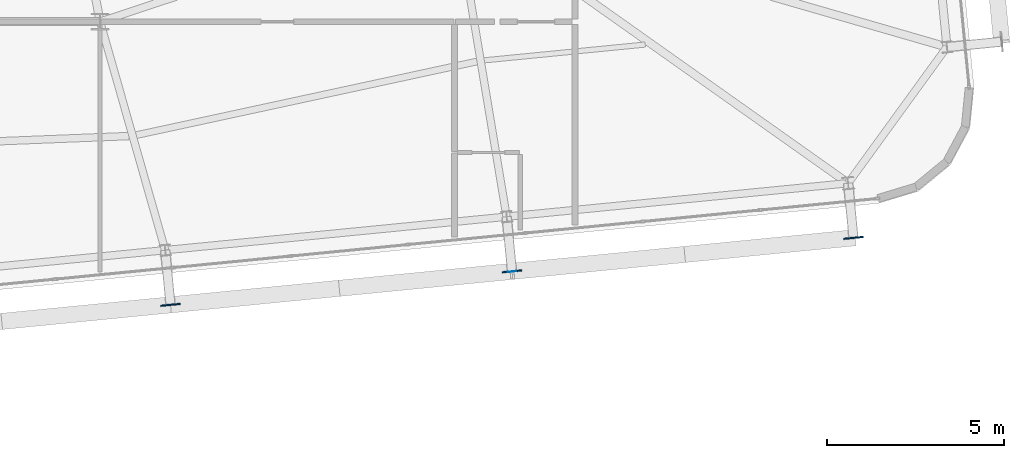
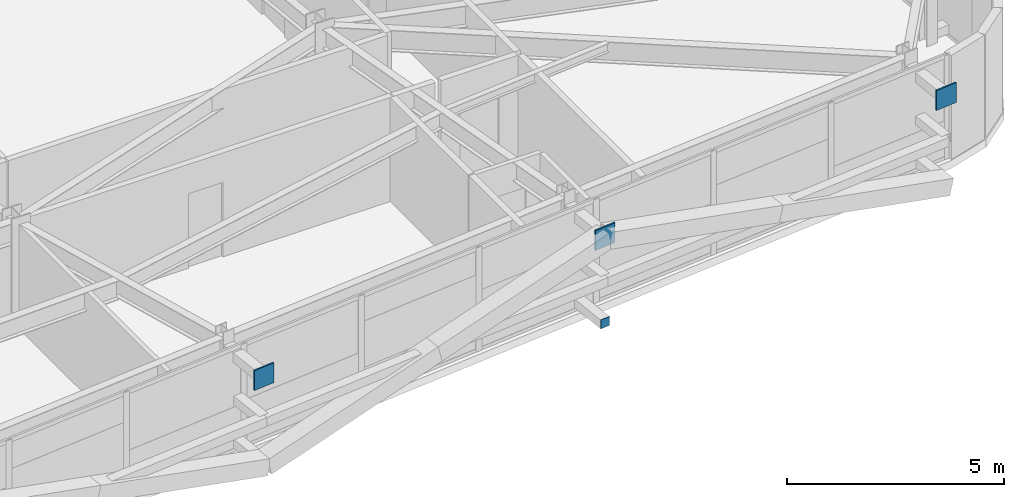
# One storey, part 41 of 53: 4 plates.
"""IFC4 building model written with IfcOpenShell, lengths in metres."""

import ifcopenshell
import ifcopenshell.guid

model = None  # the IFC model being written
_history = None  # IfcOwnerHistory: only IFC2X3 demands one
_inside = {}  # id of a spatial element -> (the spatial element, [elements in it])
_under = {}  # id of a project, library or spatial element -> (it, [spatial elements below it])
_declared = {}  # id of a project -> (the project, [libraries it declares])
_typed = {}  # id of a type object -> (the type object, [elements of that type])
_made_of = {}  # id of a material, layer set ... -> (it, [elements and type objects made of it])


def new_model(schema):
    """Start an empty IFC model of exactly this schema.

    Asked for "IFC4X3", IfcOpenShell would pick the latest addendum, in which some entities
    have other attributes; the version numbers below select the first issue.
    IFC2X3 requires an IfcOwnerHistory on every rooted entity: one is made here for all.
    """
    global model, _history
    if schema == "IFC4X3":
        model = ifcopenshell.file(schema_version=(4, 3, 0, 0))
    else:
        model = ifcopenshell.file(schema=schema)
    _inside.clear()
    _under.clear()
    _declared.clear()
    _typed.clear()
    _made_of.clear()
    _history = None
    if model.schema == "IFC2X3":
        org = make("IfcOrganization", Name="unknown")
        user = make(
            "IfcPersonAndOrganization",
            ThePerson=make("IfcPerson", FamilyName="unknown"),
            TheOrganization=org,
        )
        app = make(
            "IfcApplication",
            ApplicationDeveloper=org,
            Version="unknown",
            ApplicationFullName="unknown",
            ApplicationIdentifier="unknown",
        )
        _history = make(
            "IfcOwnerHistory",
            OwningUser=user,
            OwningApplication=app,
            ChangeAction="ADDED",
            CreationDate=0,
        )
    return model


def make(cls, **values):
    """One entity of the class cls with the attributes given. An attribute that is None is left unset."""
    return model.create_entity(
        cls, **{name: value for name, value in values.items() if value is not None}
    )


def rooted(cls, **values):
    """An entity with a GlobalId (a new one), such as an element, a storey or a relation."""
    return make(cls, GlobalId=ifcopenshell.guid.new(), OwnerHistory=_history, **values)


def si_unit(unit_type, name, prefix=None):
    """IfcSIUnit, for example si_unit("LENGTHUNIT", "METRE", prefix="MILLI")."""
    return make("IfcSIUnit", UnitType=unit_type, Prefix=prefix, Name=name)


def assignment(units):
    """IfcUnitAssignment: the units of a project."""
    return None if units is None else make("IfcUnitAssignment", Units=units)


def point(xyz):
    """IfcCartesianPoint."""
    return None if xyz is None else make("IfcCartesianPoint", Coordinates=xyz)


def direction(xyz):
    """IfcDirection."""
    return None if xyz is None else make("IfcDirection", DirectionRatios=xyz)


def frame(location, z_axis=None, x_axis=None):
    """IfcAxis2Placement3D, a coordinate frame: its origin and axes. An axis left out is left unset."""
    return make(
        "IfcAxis2Placement3D",
        Location=point(location),
        Axis=direction(z_axis),
        RefDirection=direction(x_axis),
    )


def frame_2d(location, x_axis=None):
    """IfcAxis2Placement2D, a coordinate frame in the plane: its origin and x axis."""
    return make(
        "IfcAxis2Placement2D", Location=point(location), RefDirection=direction(x_axis)
    )


def origin():
    """The frame at (0, 0, 0) with its axes left unset."""
    return frame((0.0, 0.0, 0.0))


def origin_2d():
    """The frame at (0, 0) in the plane with its x axis left unset."""
    return frame_2d((0.0, 0.0))


def place(relative_to, where):
    """IfcLocalPlacement: puts the frame where relative to a parent placement (None: the world)."""
    return make(
        "IfcLocalPlacement", PlacementRelTo=relative_to, RelativePlacement=where
    )


def context(
    kind, dimensions, precision=None, world=None, true_north=None, identifier=None
):
    """IfcGeometricRepresentationContext, for example the 3D "Model" context."""
    return make(
        "IfcGeometricRepresentationContext",
        ContextIdentifier=identifier,
        ContextType=kind,
        CoordinateSpaceDimension=dimensions,
        Precision=precision,
        WorldCoordinateSystem=world,
        TrueNorth=true_north,
    )


def subcontext(parent, identifier, kind, view, scale=None):
    """IfcGeometricRepresentationSubContext, for example "Body" below "Model"."""
    return make(
        "IfcGeometricRepresentationSubContext",
        ContextIdentifier=identifier,
        ContextType=kind,
        ParentContext=parent,
        TargetScale=scale,
        TargetView=view,
    )


def project(units=None, contexts=None):
    """IfcProject with its units and contexts."""
    return rooted(
        "IfcProject",
        Name="project",
        RepresentationContexts=contexts,
        UnitsInContext=assignment(units),
    )


def spatial(cls, under=None, at=None, **own):
    """A site, building, storey or space (cls), placed at a placement, below another one or the project."""
    s = rooted(cls, ObjectPlacement=at, **own)
    if under is not None:
        _under.setdefault(under.id(), (under, []))[1].append(s)
    return s


def profile(cls, at=None, kind="AREA", **sizes):
    """A parametric profile (cls). Its sizes go by their IFC names, for example OverallWidth=200.0."""
    return make(cls, ProfileType=kind, Position=at, **sizes)


def rectangle(**sizes):
    """IfcRectangleProfileDef."""
    return profile("IfcRectangleProfileDef", **sizes)


def extrude(swept, where, along, depth):
    """IfcExtrudedAreaSolid: the profile swept, set in the frame where, extruded along a direction by depth."""
    return make(
        "IfcExtrudedAreaSolid",
        SweptArea=swept,
        Position=where,
        ExtrudedDirection=direction(along),
        Depth=depth,
    )


def shape(context_of_items, identifier, shape_type, items):
    """IfcShapeRepresentation: the items that make up one representation, for example the "Body"."""
    return make(
        "IfcShapeRepresentation",
        ContextOfItems=context_of_items,
        RepresentationIdentifier=identifier,
        RepresentationType=shape_type,
        Items=items,
    )


def source(mapping_origin, context_of_items, identifier, shape_type, items):
    """IfcRepresentationMap: a shape defined once, which mapped items show again and again."""
    return make(
        "IfcRepresentationMap",
        MappingOrigin=mapping_origin,
        MappedRepresentation=shape(context_of_items, identifier, shape_type, items),
    )


def transform(
    local_origin,
    x_axis=None,
    y_axis=None,
    z_axis=None,
    scale=None,
    scale2=None,
    scale3=None,
    uniform=True,
):
    """IfcCartesianTransformationOperator3D, or its non-uniform kind. x_axis, y_axis, z_axis: its Axis1, 2, 3."""
    if uniform:
        return make(
            "IfcCartesianTransformationOperator3D",
            Axis1=direction(x_axis),
            Axis2=direction(y_axis),
            LocalOrigin=point(local_origin),
            Scale=scale,
            Axis3=direction(z_axis),
        )
    return make(
        "IfcCartesianTransformationOperator3DnonUniform",
        Axis1=direction(x_axis),
        Axis2=direction(y_axis),
        LocalOrigin=point(local_origin),
        Scale=scale,
        Axis3=direction(z_axis),
        Scale2=scale2,
        Scale3=scale3,
    )


def mapped(mapping_source, mapping_target):
    """IfcMappedItem: shows the shape of a source again, moved by a transform."""
    return make(
        "IfcMappedItem", MappingSource=mapping_source, MappingTarget=mapping_target
    )


def material(Name=None, Category=None):
    """IfcMaterial."""
    return make("IfcMaterial", Name=Name, Category=Category)


def layer(
    of_material, thickness, ventilated=None, Name=None, Category=None, Priority=None
):
    """IfcMaterialLayer: one layer of a wall or slab, of a material (None: an air gap)."""
    return make(
        "IfcMaterialLayer",
        Material=of_material,
        LayerThickness=thickness,
        IsVentilated=ventilated,
        Name=Name,
        Category=Category,
        Priority=Priority,
    )


def layer_set(layers, Name=None):
    """IfcMaterialLayerSet."""
    return make("IfcMaterialLayerSet", MaterialLayers=layers, LayerSetName=Name)


def made_of(thing, what):
    """Note that an element or type object is made of a material, layer set ...; save() writes the relation."""
    if what is not None:
        _made_of.setdefault(what.id(), (what, []))[1].append(thing)
    return thing


def type_object(cls, material=None, **own):
    """A type object (cls), such as IfcWallType, which elements share."""
    return made_of(rooted(cls, **own), material)


def element(
    cls,
    number,
    at=None,
    inside=None,
    cuts=None,
    type_object=None,
    material=None,
    context=None,
    identifier="Body",
    shape_type=None,
    held_by="IfcProductDefinitionShape",
    body=None,
    shapes=None,
    **own,
):
    """One element of the class cls, such as IfcWall. Its Tag is "e" and its number.

    at: its placement. inside: the storey or other place that contains it. cuts: it is an
    opening in that element (IfcRelVoidsElement). A single representation is given by context,
    identifier, shape_type and body (its items); several are given by shapes. held_by: the class
    of the entity that holds the representations. save() writes the other relations.
    """
    e = rooted(cls, Tag="e%d" % number, ObjectPlacement=at, **own)
    if body is not None:
        shapes = [shape(context, identifier, shape_type, body)]
    if shapes is not None:
        e.Representation = make(held_by, Representations=shapes)
    if inside is not None:
        _inside.setdefault(inside.id(), (inside, []))[1].append(e)
    if cuts is not None:
        rooted(
            "IfcRelVoidsElement", RelatingBuildingElement=cuts, RelatedOpeningElement=e
        )
    if type_object is not None:
        _typed.setdefault(type_object.id(), (type_object, []))[1].append(e)
    return made_of(e, material)


def aggregate(whole, parts):
    """IfcRelAggregates: a whole, such as a stair, and the parts it consists of."""
    return rooted("IfcRelAggregates", RelatingObject=whole, RelatedObjects=parts)


def save(model, path):
    """Write the relations noted so far, then the file.

    IfcRelAggregates (storeys below a building ...), IfcRelContainedInSpatialStructure (elements
    in a storey), IfcRelDefinesByType, IfcRelAssociatesMaterial and IfcRelDeclares: one each for
    every whole, place, type object, material and project.
    """
    for whole, parts in _under.values():
        aggregate(whole, parts)
    for where, things in _inside.values():
        rooted(
            "IfcRelContainedInSpatialStructure",
            RelatedElements=things,
            RelatingStructure=where,
        )
    for kind, things in _typed.values():
        rooted("IfcRelDefinesByType", RelatedObjects=things, RelatingType=kind)
    for what, things in _made_of.values():
        rooted("IfcRelAssociatesMaterial", RelatedObjects=things, RelatingMaterial=what)
    for by, libraries in _declared.values():
        rooted("IfcRelDeclares", RelatingContext=by, RelatedDefinitions=libraries)
    model.write(path)


model = new_model("IFC4")

# Units and contexts
model_context = context("Model", 3, precision=1e-05, world=origin(), true_north=direction((0.0, 1.0)))
body_context = subcontext(model_context, "Body", "Model", "MODEL_VIEW")
ifc_project = project(units=[si_unit("LENGTHUNIT", "METRE"), si_unit("AREAUNIT", "SQUARE_METRE"), si_unit("VOLUMEUNIT", "CUBIC_METRE"), si_unit("PLANEANGLEUNIT", "RADIAN"), si_unit("MASSUNIT", "GRAM", prefix="KILO")], contexts=[model_context])

# Site, building, storey
site_placement = place(None, origin())
site = spatial("IfcSite", under=ifc_project, at=site_placement, CompositionType="ELEMENT")
building_placement = place(site_placement, origin())
building = spatial("IfcBuilding", under=site, at=building_placement, Name="Taldren Reach Tower", CompositionType="ELEMENT")
storey_placement = place(building_placement, frame((0.0, 0.0, 84.0)))
storey = spatial("IfcBuildingStorey", under=building, at=storey_placement, Name="L25", CompositionType="ELEMENT", Elevation=84.0)

# Plates
ifc_material_1 = material(Name="Steel Gr 450 (C450L0)", Category="steel")
ifc_layer_1 = layer(ifc_material_1, 0.0400390625)
ifc_layer_set_1 = layer_set([ifc_layer_1], Name="Steel Gr 450 (C450L0)")
plate_type_1 = type_object("IfcPlateType", Name="PL-GUSSET-40", PredefinedType="SHEET", material=ifc_layer_set_1)
shared_shape_1 = source(origin(), body_context, "Body", "SweptSolid", [
    extrude(rectangle(XDim=0.56005859375, YDim=0.0400390625, at=origin_2d()), origin(), (0.0, 0.0, 1.0), 0.56005859375),
])
for number, where, z_axis, x_axis, name in (
    (1, (43.98681640625, 1.21142578125, 2.369873046875), (0.0, 0.0, 1.0), (0.995227399982, 0.097582899759, 0.0), "Exoskeleton star-node gusset plate B2-S4 L25"),
    (2, (53.62060546875, 2.156005859375, 2.369873046875), (0.0, 0.0, 1.0), (0.995227399982, 0.097582899759, 0.0), "Exoskeleton star-node gusset plate B2-S5 L25"),
    (3, (63.25439453125, 3.1005859375, 2.369873046875), (0.0, 0.0, 1.0), (0.995227399982, 0.097582899759, 0.0), "Exoskeleton star-node gusset plate B2-S6 L25"),
):
    element("IfcPlate", number, at=place(storey_placement, frame(where, z_axis=z_axis, x_axis=x_axis)), inside=storey, type_object=plate_type_1, Name=name, PredefinedType="SHEET", context=body_context, shape_type="MappedRepresentation", body=[
        mapped(shared_shape_1, transform((0.0, 0.0, 0.0), scale=1.0)),
    ])
ifc_material_2 = material(Name="Steel Gr 350 (C350L0)", Category="steel")
ifc_layer_2 = layer(ifc_material_2, 0.011962890625)
ifc_layer_set_2 = layer_set([ifc_layer_2], Name="Steel Gr 350 (C350L0)")
plate_type_2 = type_object("IfcPlateType", Name="PL-CAP-250", PredefinedType="SHEET", material=ifc_layer_set_2)
shared_shape_2 = source(origin(), body_context, "Body", "SweptSolid", [
    extrude(rectangle(XDim=0.25, YDim=0.011962890625, at=origin_2d()), origin(), (0.0, 0.0, 1.0), 0.25),
])
plate_placement = place(storey_placement, frame((53.62109375, 2.14990234375, 0.094970703125), z_axis=(0.0, 0.0, 1.0), x_axis=(0.995227399982, 0.097582899759, 0.0)))
element("IfcPlate", 4, at=plate_placement, inside=storey, type_object=plate_type_2, Name="Tie strut end cap plate B2-S5 L25", PredefinedType="SHEET", context=body_context, shape_type="MappedRepresentation", body=[
    mapped(shared_shape_2, transform((0.0, 0.0, 0.0), scale=1.0)),
])

save(model, "model.ifc")
